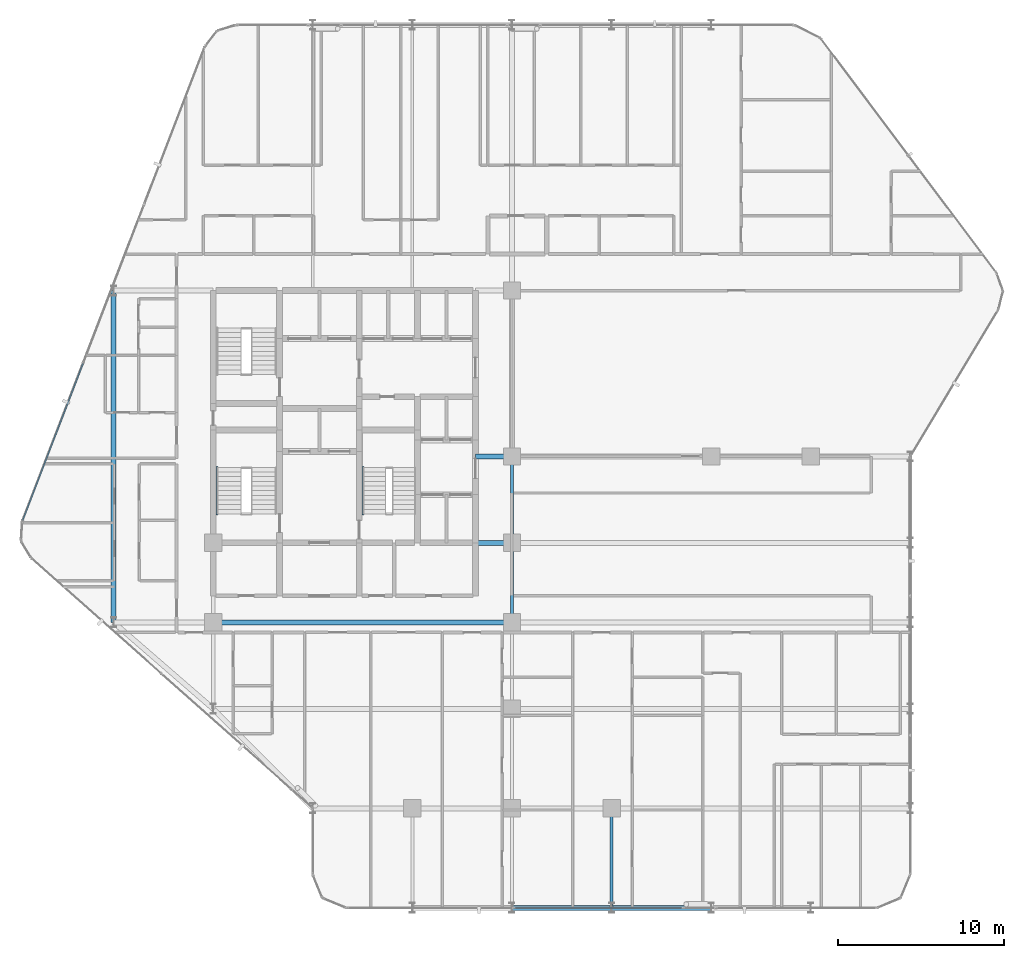
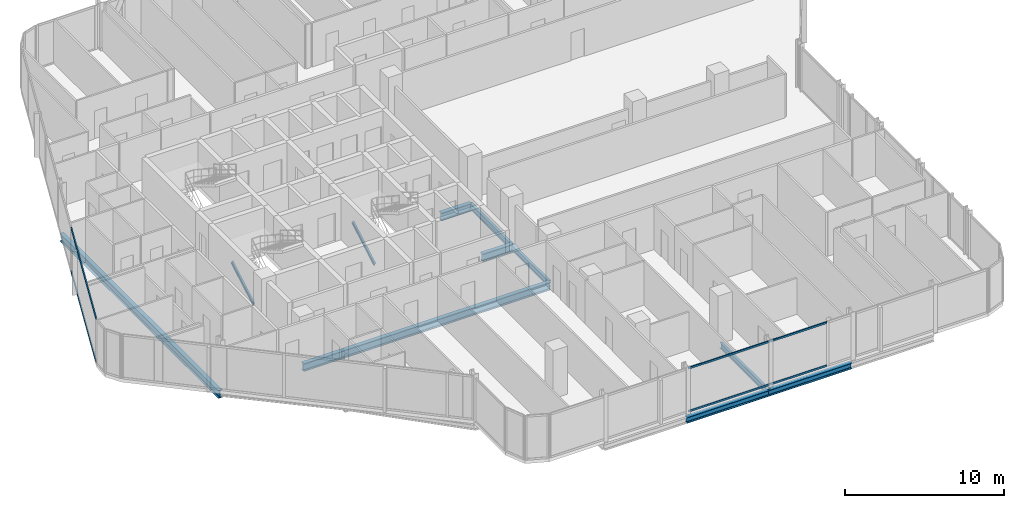
# One storey, part 7 of 30: 9 beams, 6 members, 2 elements without a shape of their own.
"""IFC4 building model written with IfcOpenShell, lengths in metres."""

from ifc_helpers import new_model, si_unit, direction, frame, origin, origin_2d, place, context, subcontext, project, spatial, hollow_rectangle, i_section, extrude, material, layer, layer_set, material_profile, profile_set, type_object, element, aggregate, save


model = new_model("IFC4")

# Units and contexts
model_context = context("Model", 3, precision=1e-05, world=origin(), true_north=direction((0.0, 1.0)))
body_context = subcontext(model_context, "Body", "Model", "MODEL_VIEW")
ifc_project = project(units=[si_unit("LENGTHUNIT", "METRE"), si_unit("AREAUNIT", "SQUARE_METRE"), si_unit("VOLUMEUNIT", "CUBIC_METRE"), si_unit("PLANEANGLEUNIT", "RADIAN"), si_unit("MASSUNIT", "GRAM", prefix="KILO")], contexts=[model_context])

# Site, building, storey
site_placement = place(None, origin())
site = spatial("IfcSite", under=ifc_project, at=site_placement, CompositionType="ELEMENT")
building_placement = place(site_placement, origin())
building = spatial("IfcBuilding", under=site, at=building_placement, Name="Keshet Zoharim Tower", CompositionType="ELEMENT")
storey_placement = place(building_placement, frame((0.0, 0.0, 116.800048828125)))
storey = spatial("IfcBuildingStorey", under=building, at=storey_placement, Name="L28", CompositionType="ELEMENT", Elevation=116.800048828125)

# Beams
ifc_material_1 = material(Name="Steel S355", Category="steel")
ifc_material_profile_1 = material_profile(ifc_material_1, i_section(OverallWidth=0.300048828125, OverallDepth=0.60009765625, WebThickness=0.015380859375, FlangeThickness=0.030029296875, FilletRadius=0.027099609375, at=origin_2d()), Name="HEB600")
ifc_profile_set_1 = profile_set([ifc_material_profile_1], Name="Steel S355")
beam_type_1 = type_object("IfcBeamType", Name="BM-CLK-HB600", PredefinedType="BEAM", material=ifc_profile_set_1)
for number, where, z_axis, x_axis, name in (
    (1, (30.800048828125, 22.699951171875, -0.614990234375), (1.0, 0.0, 0.0), (0.0, 1.0, 0.0), "L28 Core Wall Link Girder 01"),
    (2, (30.800048828125, 27.89990234375, -0.614990234375), (1.0, 0.0, 0.0), (0.0, 1.0, 0.0), "L28 Core Wall Link Girder 02"),
):
    element("IfcBeam", number, at=place(storey_placement, frame(where, z_axis=z_axis, x_axis=x_axis)), inside=storey, type_object=beam_type_1, Name=name, PredefinedType="BEAM", context=body_context, shape_type="SweptSolid", body=[
        extrude(i_section(OverallWidth=0.300048828125, OverallDepth=0.60009765625, WebThickness=0.015380859375, FlangeThickness=0.030029296875, FilletRadius=0.027099609375, at=origin_2d()), origin(), (0.0, 0.0, 1.0), 2.199951171875),
    ])
ifc_material_profile_2 = material_profile(ifc_material_1, i_section(OverallWidth=0.300048828125, OverallDepth=0.60009765625, WebThickness=0.015380859375, FlangeThickness=0.030029296875, FilletRadius=0.027099609375, at=origin_2d()), Name="HEB600")
ifc_profile_set_2 = profile_set([ifc_material_profile_2], Name="Steel S355")
beam_type_2 = type_object("IfcBeamType", Name="BM-LNG-HB600", PredefinedType="BEAM", material=ifc_profile_set_2)
beam_1_placement = place(storey_placement, frame((15.0, 17.89990234375, -0.614990234375), z_axis=(1.0, 0.0, 0.0), x_axis=(0.0, 1.0, 0.0)))
element("IfcBeam", 3, at=beam_1_placement, inside=storey, type_object=beam_type_2, Name="L28 Primary Girder X-012", PredefinedType="BEAM", context=body_context, shape_type="SweptSolid", body=[
    extrude(i_section(OverallWidth=0.300048828125, OverallDepth=0.60009765625, WebThickness=0.015380859375, FlangeThickness=0.030029296875, FilletRadius=0.027099609375, at=origin_2d()), origin(), (0.0, 0.0, 1.0), 18.0),
])
beam_2_placement = place(storey_placement, frame((9.0, 17.89990234375, -0.614990234375), z_axis=(0.0, 1.0, 0.0), x_axis=(-1.0, 0.0, 0.0)))
element("IfcBeam", 4, at=beam_2_placement, inside=storey, type_object=beam_type_2, Name="L28 Primary Girder Y-001", PredefinedType="BEAM", context=body_context, shape_type="SweptSolid", body=[
    extrude(i_section(OverallWidth=0.300048828125, OverallDepth=0.60009765625, WebThickness=0.015380859375, FlangeThickness=0.030029296875, FilletRadius=0.027099609375, at=origin_2d()), origin(), (0.0, 0.0, 1.0), 20.0),
])
ifc_material_profile_3 = material_profile(ifc_material_1, i_section(OverallWidth=0.18994140625, OverallDepth=0.449951171875, WebThickness=0.009521484375, FlangeThickness=0.0146484375, FilletRadius=0.02099609375, at=origin_2d()), Name="IPE450")
ifc_profile_set_3 = profile_set([ifc_material_profile_3], Name="Steel S355")
beam_type_3 = type_object("IfcBeamType", Name="BM-PRI-IP450", PredefinedType="BEAM", material=ifc_profile_set_3)
beam_3_placement = place(storey_placement, frame((33.0, 17.89990234375, -0.5400390625), z_axis=(0.0, 1.0, 0.0), x_axis=(-1.0, 0.0, 0.0)))
element("IfcBeam", 5, at=beam_3_placement, inside=storey, type_object=beam_type_3, Name="L28 Primary Girder Y-008", PredefinedType="BEAM", context=body_context, shape_type="SweptSolid", body=[
    extrude(i_section(OverallWidth=0.18994140625, OverallDepth=0.449951171875, WebThickness=0.009521484375, FlangeThickness=0.0146484375, FilletRadius=0.02099609375, at=origin_2d()), origin(), (0.0, 0.0, 1.0), 4.800048828125),
])
beam_4_placement = place(storey_placement, frame((33.0, 22.699951171875, -0.5400390625), z_axis=(0.0, 1.0, 0.0), x_axis=(-1.0, 0.0, 0.0)))
element("IfcBeam", 6, at=beam_4_placement, inside=storey, type_object=beam_type_3, Name="L28 Primary Girder Y-009", PredefinedType="BEAM", context=body_context, shape_type="SweptSolid", body=[
    extrude(i_section(OverallWidth=0.18994140625, OverallDepth=0.449951171875, WebThickness=0.009521484375, FlangeThickness=0.0146484375, FilletRadius=0.02099609375, at=origin_2d()), origin(), (0.0, 0.0, 1.0), 5.199951171875),
])
beam_5_placement = place(storey_placement, frame((39.0, 0.699951171875, -0.5400390625), z_axis=(0.0, 1.0, 0.0), x_axis=(-1.0, 0.0, 0.0)))
element("IfcBeam", 7, at=beam_5_placement, inside=storey, type_object=beam_type_3, Name="L28 Primary Girder Y-012", PredefinedType="BEAM", context=body_context, shape_type="SweptSolid", body=[
    extrude(i_section(OverallWidth=0.18994140625, OverallDepth=0.449951171875, WebThickness=0.009521484375, FlangeThickness=0.0146484375, FilletRadius=0.02099609375, at=origin_2d()), origin(), (0.0, 0.0, 1.0), 6.0),
])
ifc_material_profile_4 = material_profile(ifc_material_1, i_section(OverallWidth=0.300048828125, OverallDepth=0.449951171875, WebThickness=0.013916015625, FlangeThickness=0.02587890625, FilletRadius=0.027099609375, at=origin_2d()), Name="HEB450")
ifc_profile_set_4 = profile_set([ifc_material_profile_4], Name="Steel S355")
beam_type_4 = type_object("IfcBeamType", Name="BM-WEB-HB450", PredefinedType="BEAM", material=ifc_profile_set_4)
for number, where, z_axis, x_axis, name in (
    (8, (33.0, 0.699951171875, -0.5400390625), (1.0, 0.0, 0.0), (0.0, 1.0, 0.0), "L28 Primary Girder X-002"),
    (9, (39.0, 0.699951171875, -0.5400390625), (1.0, 0.0, 0.0), (0.0, 1.0, 0.0), "L28 Primary Girder X-003"),
):
    element("IfcBeam", number, at=place(storey_placement, frame(where, z_axis=z_axis, x_axis=x_axis)), inside=storey, type_object=beam_type_4, Name=name, PredefinedType="BEAM", context=body_context, shape_type="SweptSolid", body=[
        extrude(i_section(OverallWidth=0.300048828125, OverallDepth=0.449951171875, WebThickness=0.013916015625, FlangeThickness=0.02587890625, FilletRadius=0.027099609375, at=origin_2d()), origin(), (0.0, 0.0, 1.0), 6.0),
    ])

# Curtain wall, members
ifc_material_2 = material(Name="Aluminium 6063-T6", Category="aluminium")
ifc_layer = layer(ifc_material_2, 0.159912109375)
ifc_layer_set = layer_set([ifc_layer], Name="Aluminium 6063-T6")
curtain_wall_type = type_object("IfcCurtainWallType", Name="CW-SYS-03", PredefinedType="NOTDEFINED", material=ifc_layer_set)
curtain_wall_1_placement = place(storey_placement, origin())
curtain_wall_1 = element("IfcCurtainWall", 10, at=curtain_wall_1_placement, inside=storey, type_object=curtain_wall_type, Name="L28 Unitised Curtain Wall 03 Part 3", PredefinedType="NOTDEFINED")
ifc_material_profile_5 = material_profile(ifc_material_2, hollow_rectangle(XDim=0.080078125, YDim=0.139892578125, WallThickness=0.00390625, at=origin_2d()), Name="TRN-80x140")
ifc_profile_set_5 = profile_set([ifc_material_profile_5], Name="Aluminium 6063-T6")
member_type_1 = type_object("IfcMemberType", Name="CWT-T14", PredefinedType="USERDEFINED", material=ifc_profile_set_5)
member_1_placement = place(storey_placement, frame((43.251953125, 0.699951171875, 0.034912109375), z_axis=(-1.0, 0.0, 0.0), x_axis=(0.0, -1.0, 0.0)))
member_1 = element("IfcMember", 11, at=member_1_placement, type_object=member_type_1, Name="CW-03 transom 1.1", ObjectType="TRANSOM", PredefinedType="USERDEFINED", context=body_context, shape_type="SweptSolid", body=[
    extrude(hollow_rectangle(XDim=0.080078125, YDim=0.139892578125, WallThickness=0.00390625, at=origin_2d()), origin(), (0.0, 0.0, 1.0), 10.091064453125),
])
member_2_placement = place(storey_placement, frame((43.251953125, 0.699951171875, 3.344970703125), z_axis=(-1.0, 0.0, 0.0), x_axis=(0.0, -1.0, 0.0)))
member_2 = element("IfcMember", 12, at=member_2_placement, type_object=member_type_1, Name="CW-03 transom 1.2", ObjectType="TRANSOM", PredefinedType="USERDEFINED", context=body_context, shape_type="SweptSolid", body=[
    extrude(hollow_rectangle(XDim=0.080078125, YDim=0.139892578125, WallThickness=0.00390625, at=origin_2d()), origin(), (0.0, 0.0, 1.0), 10.091064453125),
])
aggregate(curtain_wall_1, [member_1, member_2])

curtain_wall_2_placement = place(storey_placement, origin())
curtain_wall_2 = element("IfcCurtainWall", 13, at=curtain_wall_2_placement, inside=storey, type_object=curtain_wall_type, Name="L28 Unitised Curtain Wall 10", PredefinedType="NOTDEFINED")
member_3_placement = place(storey_placement, frame((3.522216796875, 24.058349609375, 0.034912109375), z_axis=(0.358993631387, 0.93334000912, 0.0), x_axis=(-0.93334000912, 0.358993631387, 0.0)))
member_3 = element("IfcMember", 14, at=member_3_placement, type_object=member_type_1, Name="CW-03 transom 1.1", ObjectType="TRANSOM", PredefinedType="USERDEFINED", context=body_context, shape_type="SweptSolid", body=[
    extrude(hollow_rectangle(XDim=0.080078125, YDim=0.139892578125, WallThickness=0.00390625, at=origin_2d()), origin(), (0.0, 0.0, 1.0), 10.1181640625),
])
member_4_placement = place(storey_placement, frame((3.522216796875, 24.058349609375, 3.344970703125), z_axis=(0.358993631387, 0.93334000912, 0.0), x_axis=(-0.93334000912, 0.358993631387, 0.0)))
member_4 = element("IfcMember", 15, at=member_4_placement, type_object=member_type_1, Name="CW-03 transom 1.2", ObjectType="TRANSOM", PredefinedType="USERDEFINED", context=body_context, shape_type="SweptSolid", body=[
    extrude(hollow_rectangle(XDim=0.080078125, YDim=0.139892578125, WallThickness=0.00390625, at=origin_2d()), origin(), (0.0, 0.0, 1.0), 10.1181640625),
])
aggregate(curtain_wall_2, [member_3, member_4])

# Members
ifc_material_profile_6 = material_profile(ifc_material_1, i_section(OverallWidth=0.1201171875, OverallDepth=0.239990234375, WebThickness=0.006103515625, FlangeThickness=0.009765625, FilletRadius=0.014892578125, at=origin_2d()), Name="IPE240")
ifc_profile_set_6 = profile_set([ifc_material_profile_6], Name="Steel S355")
member_type_2 = type_object("IfcMemberType", Name="MB-STRG-IP240", PredefinedType="STRINGER", material=ifc_profile_set_6)
for number, where, z_axis, x_axis, name in (
    (16, (15.22998046875, 24.43994140625, 0.119873046875), (0.0, 0.86689568745, 0.49848958573), (-1.0, 0.0, 0.0), "L28 ST-01 Flight Steel Stringer"),
    (17, (24.030029296875, 24.43994140625, 0.119873046875), (0.0, 0.86689568745, 0.49848958573), (-1.0, 0.0, 0.0), "L28 ST-03 Flight Steel Stringer"),
):
    element("IfcMember", number, at=place(storey_placement, frame(where, z_axis=z_axis, x_axis=x_axis)), inside=storey, type_object=member_type_2, Name=name, PredefinedType="STRINGER", context=body_context, shape_type="SweptSolid", body=[
        extrude(i_section(OverallWidth=0.1201171875, OverallDepth=0.239990234375, WebThickness=0.006103515625, FlangeThickness=0.009765625, FilletRadius=0.014892578125, at=origin_2d()), origin(), (0.0, 0.0, 1.0), 3.22998046875),
    ])

save(model, "model.ifc")
